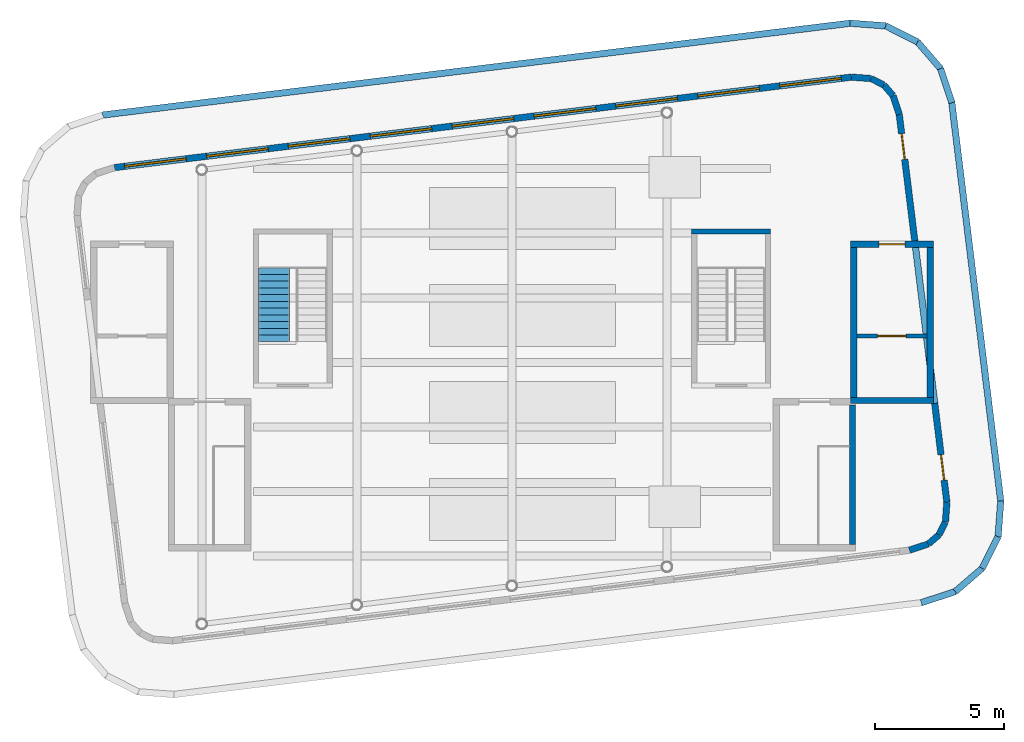
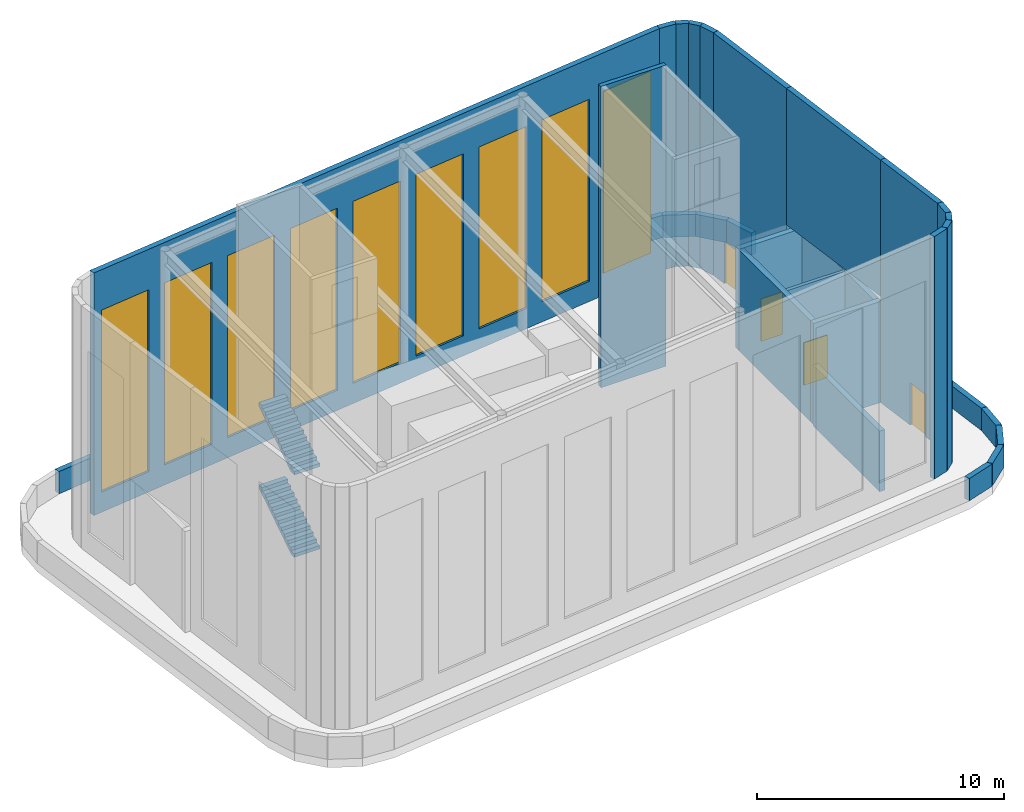
# One storey, part 4 of 7: 29 walls, 9 windows, 4 doors, 2 stair flights, 13 openings, 1 element without a shape of its own.
"""IFC4 building model written with IfcOpenShell, lengths in metres."""

from ifc_helpers import new_model, si_unit, direction, frame, frame_2d, origin, place, context, subcontext, project, spatial, polyline, rectangle, outline, extrude, material, layer, layer_set, type_object, element, fill, aggregate, save


model = new_model("IFC4")

# Units and contexts
model_context = context("Model", 3, precision=1e-05, world=origin(), true_north=direction((0.0, 1.0)))
body_context = subcontext(model_context, "Body", "Model", "MODEL_VIEW")
ifc_project = project(units=[si_unit("LENGTHUNIT", "METRE"), si_unit("AREAUNIT", "SQUARE_METRE"), si_unit("VOLUMEUNIT", "CUBIC_METRE"), si_unit("PLANEANGLEUNIT", "RADIAN"), si_unit("MASSUNIT", "GRAM", prefix="KILO")], contexts=[model_context])

# Site, building, storey
site_placement = place(None, origin())
site = spatial("IfcSite", under=ifc_project, at=site_placement, CompositionType="ELEMENT")
building_placement = place(site_placement, origin())
building = spatial("IfcBuilding", under=site, at=building_placement, Name="Torana Hotel and Residences", CompositionType="ELEMENT")
storey_placement = place(building_placement, frame((0.0, 0.0, 363.39990234375)))
storey = spatial("IfcBuildingStorey", under=building, at=storey_placement, Name="RF", CompositionType="ELEMENT", Elevation=363.39990234375)

# Wall
ifc_material_1 = material(Name="Concrete C50/60", Category="concrete")
ifc_layer_1 = layer(ifc_material_1, 0.25)
ifc_layer_set_1 = layer_set([ifc_layer_1], Name="CORE WALL 250 C50/60")
wall_type_1 = type_object("IfcWallType", Name="CORE WALL 250 C50/60", PredefinedType="SHEAR", material=ifc_layer_set_1)
wall_1_placement = place(storey_placement, frame((13.175048828125, -14.550048828125, 0.0), z_axis=(0.0, 0.0, 1.0), x_axis=(0.0, 1.0, 0.0)))
element("IfcWall", 1, at=wall_1_placement, inside=storey, type_object=wall_type_1, Name="Stair head-house wall ST3", PredefinedType="SHEAR", context=body_context, shape_type="SweptSolid", body=[
    extrude(rectangle(XDim=5.400146484375, YDim=0.25, at=frame_2d((2.7001953125, 0.0))), origin(), (0.0, 0.0, 1.0), 3.0),
])

# Wall, opening, door
wall_2_placement = place(storey_placement, frame((13.10009765625, -2.925048828125, 0.0), z_axis=(0.0, 0.0, 1.0), x_axis=(1.0, 0.0, 0.0)))
wall_2 = element("IfcWall", 2, at=wall_2_placement, inside=storey, type_object=wall_type_1, Name="Lift penthouse wall E", PredefinedType="SHEAR", context=body_context, shape_type="SweptSolid", body=[
    extrude(rectangle(XDim=3.199951171875, YDim=0.25, at=frame_2d((1.60009765625, 0.0))), origin(), (0.0, 0.0, 1.0), 5.0),
])
opening_1_placement = place(wall_2_placement, frame((1.10009765625, 0.0, 0.0)))
opening_1 = element("IfcOpeningElement", 3, at=opening_1_placement, cuts=wall_2, Name="Opening RF-03", PredefinedType="OPENING", context=body_context, shape_type="SweptSolid", body=[
    extrude(rectangle(XDim=1.0, YDim=2.10009765625, at=frame_2d((0.5, 1.050048828125))), frame((0.0, 0.135009765625, 0.0), z_axis=(0.0, -1.0, 0.0), x_axis=(1.0, 0.0, 0.0)), (0.0, 0.0, 1.0), 0.27001953125),
])
ifc_material_2 = material(Name="Steel S235", Category="steel")
door_type_1 = type_object("IfcDoorType", Name="ROOF LOBBY DOOR D9 1000x2100", OperationType="SINGLE_SWING_LEFT", PredefinedType="DOOR", material=ifc_material_2)
door_1_placement = place(opening_1_placement, origin())
door_1 = element("IfcDoor", 4, at=door_1_placement, inside=storey, type_object=door_type_1, Name="Roof lift lobby door", OperationType="SINGLE_SWING_LEFT", OverallHeight=2.10009765625, OverallWidth=1.0, PredefinedType="DOOR", context=body_context, shape_type="SweptSolid", body=[
    extrude(rectangle(XDim=1.0, YDim=2.10009765625, at=frame_2d((0.5, 1.050048828125))), frame((0.0, 0.02490234375, 0.0), z_axis=(0.0, -1.0, 0.0), x_axis=(1.0, 0.0, 0.0)), (0.0, 0.0, 1.0), 0.050048828125),
])
fill(opening_1, door_1)

# Walls
wall_3_placement = place(storey_placement, frame((13.10009765625, -8.97509765625, 0.0), z_axis=(0.0, 0.0, 1.0), x_axis=(1.0, 0.0, 0.0)))
element("IfcWall", 5, at=wall_3_placement, inside=storey, type_object=wall_type_1, Name="Lift penthouse wall E", PredefinedType="SHEAR", context=body_context, shape_type="SweptSolid", body=[
    extrude(rectangle(XDim=3.199951171875, YDim=0.25, at=frame_2d((1.60009765625, 0.0))), origin(), (0.0, 0.0, 1.0), 5.0),
])
for number, where, z_axis, x_axis, name in (
    (6, (13.22509765625, -8.85009765625, 0.0), (0.0, 0.0, 1.0), (0.0, 1.0, 0.0), "Lift penthouse wall E"),
    (7, (16.175048828125, -8.85009765625, 0.0), (0.0, 0.0, 1.0), (0.0, 1.0, 0.0), "Lift penthouse wall E"),
):
    element("IfcWall", number, at=place(storey_placement, frame(where, z_axis=z_axis, x_axis=x_axis)), inside=storey, type_object=wall_type_1, Name=name, PredefinedType="SHEAR", context=body_context, shape_type="SweptSolid", body=[
        extrude(rectangle(XDim=5.800048828125, YDim=0.25, at=frame_2d((2.89990234375, 0.0))), origin(), (0.0, 0.0, 1.0), 5.0),
    ])

# Wall, opening, door
ifc_material_3 = material(Name="Aluminium louvre wall", Category="aluminium")
ifc_layer_2 = layer(ifc_material_3, 0.25)
ifc_layer_set_2 = layer_set([ifc_layer_2], Name="EW3 LOUVRE WALL 250")
wall_type_2 = type_object("IfcWallType", Name="EW3 LOUVRE WALL 250", PredefinedType="SOLIDWALL", material=ifc_layer_set_2)
wall_4_placement = place(storey_placement, frame((14.984375, 2.0908203125, 0.0), z_axis=(0.0, 0.0, 1.0), x_axis=(0.121857042325, -0.992547661947, 0.0)))
wall_4 = element("IfcWall", 8, at=wall_4_placement, inside=storey, type_object=wall_type_2, Name="Plant enclosure louvre wall 1", PredefinedType="SOLIDWALL", context=body_context, shape_type="SweptSolid", body=[
    extrude(rectangle(XDim=4.926513671875, YDim=0.25, at=frame_2d((2.46337890625, 0.0))), origin(), (0.0, 0.0, 1.0), 12.0),
])
opening_2_placement = place(wall_4_placement, frame((0.75, 0.0, 0.0)))
opening_2 = element("IfcOpeningElement", 9, at=opening_2_placement, cuts=wall_4, Name="Opening RF-E01", PredefinedType="OPENING", context=body_context, shape_type="SweptSolid", body=[
    extrude(rectangle(XDim=1.0, YDim=2.10009765625, at=frame_2d((0.5, 1.050048828125))), frame((0.0, 0.135009765625, 0.0), z_axis=(0.0, -1.0, 0.0), x_axis=(1.0, 0.0, 0.0)), (0.0, 0.0, 1.0), 0.27001953125),
])
ifc_material_4 = material(Name="Steel S235", Category="steel")
door_type_2 = type_object("IfcDoorType", Name="DE4 ROOF DOOR 1000x2100", OperationType="SINGLE_SWING_RIGHT", PredefinedType="DOOR", material=ifc_material_4)
door_2_placement = place(opening_2_placement, origin())
door_2 = element("IfcDoor", 10, at=door_2_placement, inside=storey, type_object=door_type_2, Name="Roof door", OperationType="SINGLE_SWING_RIGHT", OverallHeight=2.10009765625, OverallWidth=1.0, PredefinedType="DOOR", context=body_context, shape_type="SweptSolid", body=[
    extrude(rectangle(XDim=1.0, YDim=2.10009765625, at=frame_2d((0.5, 1.050048828125))), frame((0.0, 0.02490234375, 0.0), z_axis=(0.0, -1.0, 0.0), x_axis=(1.0, 0.0, 0.0)), (0.0, 0.0, 1.0), 0.050048828125),
])
fill(opening_2, door_2)

wall_5_placement = place(storey_placement, frame((16.356689453125, -9.08740234375, 0.0), z_axis=(0.0, 0.0, 1.0), x_axis=(0.1219306912, -0.992538617155, 0.0)))
wall_5 = element("IfcWall", 11, at=wall_5_placement, inside=storey, type_object=wall_type_2, Name="Plant enclosure louvre wall 1", PredefinedType="SOLIDWALL", context=body_context, shape_type="SweptSolid", body=[
    extrude(rectangle(XDim=3.8564453125, YDim=0.25, at=frame_2d((1.92822265625, 0.0))), origin(), (0.0, 0.0, 1.0), 12.0),
])
opening_3_placement = place(wall_5_placement, frame((2.0, 0.0, 0.0)))
opening_3 = element("IfcOpeningElement", 12, at=opening_3_placement, cuts=wall_5, Name="Opening RF-E02", PredefinedType="OPENING", context=body_context, shape_type="SweptSolid", body=[
    extrude(rectangle(XDim=1.0, YDim=2.10009765625, at=frame_2d((0.5, 1.050048828125))), frame((0.0, 0.135009765625, 0.0), z_axis=(0.0, -1.0, 0.0), x_axis=(1.0, 0.0, 0.0)), (0.0, 0.0, 1.0), 0.27001953125),
])
door_3_placement = place(opening_3_placement, origin())
door_3 = element("IfcDoor", 13, at=door_3_placement, inside=storey, type_object=door_type_2, Name="Roof door", OperationType="SINGLE_SWING_RIGHT", OverallHeight=2.10009765625, OverallWidth=1.0, PredefinedType="DOOR", context=body_context, shape_type="SweptSolid", body=[
    extrude(rectangle(XDim=1.0, YDim=2.10009765625, at=frame_2d((0.5, 1.050048828125))), frame((0.0, 0.02490234375, 0.0), z_axis=(0.0, -1.0, 0.0), x_axis=(1.0, 0.0, 0.0)), (0.0, 0.0, 1.0), 0.050048828125),
])
fill(opening_3, door_3)

# Walls
wall_6_placement = place(storey_placement, frame((16.826904296875, -12.9150390625, 0.0), z_axis=(0.0, 0.0, 1.0), x_axis=(-0.074070751166, -0.997252988876, 0.0)))
element("IfcWall", 14, at=wall_6_placement, inside=storey, type_object=wall_type_2, Name="Plant enclosure louvre wall 2", PredefinedType="SOLIDWALL", context=body_context, shape_type="SweptSolid", body=[
    extrude(rectangle(XDim=0.76806640625, YDim=0.25, at=frame_2d((0.384033203125, 0.0))), origin(), (0.0, 0.0, 1.0), 12.0),
])
wall_7_placement = place(storey_placement, frame((16.77001953125, -13.680908203125, 0.0), z_axis=(0.0, 0.0, 1.0), x_axis=(-0.450424839649, -0.892814350146, 0.0)))
element("IfcWall", 15, at=wall_7_placement, inside=storey, type_object=wall_type_2, Name="Plant enclosure louvre wall 3", PredefinedType="SOLIDWALL", context=body_context, shape_type="SweptSolid", body=[
    extrude(rectangle(XDim=0.546875, YDim=0.25, at=frame_2d((0.2734375, 0.0))), origin(), (0.0, 0.0, 1.0), 12.0),
])
wall_8_placement = place(storey_placement, frame((16.523681640625, -14.169189453125, 0.0), z_axis=(0.0, 0.0, 1.0), x_axis=(-0.757394739228, -0.652957279605, 0.0)))
element("IfcWall", 16, at=wall_8_placement, inside=storey, type_object=wall_type_2, Name="Plant enclosure louvre wall 4", PredefinedType="SOLIDWALL", context=body_context, shape_type="SweptSolid", body=[
    extrude(rectangle(XDim=0.547119140625, YDim=0.25, at=frame_2d((0.2734375, 0.0))), origin(), (0.0, 0.0, 1.0), 12.0),
])
wall_9_placement = place(storey_placement, frame((16.109375, -14.5263671875, 0.0), z_axis=(0.0, 0.0, 1.0), x_axis=(-0.949726974671, -0.313079340713, 0.0)))
element("IfcWall", 17, at=wall_9_placement, inside=storey, type_object=wall_type_2, Name="Plant enclosure louvre wall 5", PredefinedType="SOLIDWALL", context=body_context, shape_type="SweptSolid", body=[
    extrude(rectangle(XDim=0.76806640625, YDim=0.25, at=frame_2d((0.384033203125, 0.0))), origin(), (0.0, 0.0, 1.0), 12.0),
])

# Wall, openings, windows
wall_10_placement = place(storey_placement, frame((-15.3798828125, 0.036865234375, 0.0), z_axis=(0.0, 0.0, 1.0), x_axis=(0.992546810088, 0.121863980664, 0.0)))
wall_10 = element("IfcWall", 18, at=wall_10_placement, inside=storey, type_object=wall_type_2, Name="Plant enclosure louvre wall 16", PredefinedType="SOLIDWALL", context=body_context, shape_type="SweptSolid", body=[
    extrude(rectangle(XDim=28.7265625, YDim=0.25, at=frame_2d((14.36328125, 0.0))), origin(), (0.0, 0.0, 1.0), 12.0),
])
opening_4_placement = place(wall_10_placement, frame((0.39599609375, 0.0, 1.0)))
opening_4 = element("IfcOpeningElement", 19, at=opening_4_placement, cuts=wall_10, Name="Opening LV3", PredefinedType="OPENING", context=body_context, shape_type="SweptSolid", body=[
    extrude(rectangle(XDim=2.39990234375, YDim=9.0, at=frame_2d((1.199951171875, 4.5))), frame((0.0, 0.135009765625, 0.0), z_axis=(0.0, -1.0, 0.0), x_axis=(1.0, 0.0, 0.0)), (0.0, 0.0, 1.0), 0.27001953125),
])
opening_5_placement = place(wall_10_placement, frame((3.587890625, 0.0, 1.0)))
opening_5 = element("IfcOpeningElement", 20, at=opening_5_placement, cuts=wall_10, Name="Opening LV3", PredefinedType="OPENING", context=body_context, shape_type="SweptSolid", body=[
    extrude(rectangle(XDim=2.39990234375, YDim=9.0, at=frame_2d((1.199951171875, 4.5))), frame((0.0, 0.135009765625, 0.0), z_axis=(0.0, -1.0, 0.0), x_axis=(1.0, 0.0, 0.0)), (0.0, 0.0, 1.0), 0.27001953125),
])
opening_6_placement = place(wall_10_placement, frame((6.779541015625, 0.0, 1.0)))
opening_6 = element("IfcOpeningElement", 21, at=opening_6_placement, cuts=wall_10, Name="Opening LV3", PredefinedType="OPENING", context=body_context, shape_type="SweptSolid", body=[
    extrude(rectangle(XDim=2.39990234375, YDim=9.0, at=frame_2d((1.199951171875, 4.5))), frame((0.0, 0.135009765625, 0.0), z_axis=(0.0, -1.0, 0.0), x_axis=(1.0, 0.0, 0.0)), (0.0, 0.0, 1.0), 0.27001953125),
])
opening_7_placement = place(wall_10_placement, frame((9.971435546875, 0.0, 1.0)))
opening_7 = element("IfcOpeningElement", 22, at=opening_7_placement, cuts=wall_10, Name="Opening LV3", PredefinedType="OPENING", context=body_context, shape_type="SweptSolid", body=[
    extrude(rectangle(XDim=2.39990234375, YDim=9.0, at=frame_2d((1.199951171875, 4.5))), frame((0.0, 0.135009765625, 0.0), z_axis=(0.0, -1.0, 0.0), x_axis=(1.0, 0.0, 0.0)), (0.0, 0.0, 1.0), 0.27001953125),
])
opening_8_placement = place(wall_10_placement, frame((13.163330078125, 0.0, 1.0)))
opening_8 = element("IfcOpeningElement", 23, at=opening_8_placement, cuts=wall_10, Name="Opening LV3", PredefinedType="OPENING", context=body_context, shape_type="SweptSolid", body=[
    extrude(rectangle(XDim=2.39990234375, YDim=9.0, at=frame_2d((1.199951171875, 4.5))), frame((0.0, 0.135009765625, 0.0), z_axis=(0.0, -1.0, 0.0), x_axis=(1.0, 0.0, 0.0)), (0.0, 0.0, 1.0), 0.27001953125),
])
opening_9_placement = place(wall_10_placement, frame((16.35498046875, 0.0, 1.0)))
opening_9 = element("IfcOpeningElement", 24, at=opening_9_placement, cuts=wall_10, Name="Opening LV3", PredefinedType="OPENING", context=body_context, shape_type="SweptSolid", body=[
    extrude(rectangle(XDim=2.39990234375, YDim=9.0, at=frame_2d((1.199951171875, 4.5))), frame((0.0, 0.135009765625, 0.0), z_axis=(0.0, -1.0, 0.0), x_axis=(1.0, 0.0, 0.0)), (0.0, 0.0, 1.0), 0.27001953125),
])
opening_10_placement = place(wall_10_placement, frame((19.547119140625, 0.0, 1.0)))
opening_10 = element("IfcOpeningElement", 25, at=opening_10_placement, cuts=wall_10, Name="Opening LV3", PredefinedType="OPENING", context=body_context, shape_type="SweptSolid", body=[
    extrude(rectangle(XDim=2.39990234375, YDim=9.0, at=frame_2d((1.199951171875, 4.5))), frame((0.0, 0.135009765625, 0.0), z_axis=(0.0, -1.0, 0.0), x_axis=(1.0, 0.0, 0.0)), (0.0, 0.0, 1.0), 0.27001953125),
])
opening_11_placement = place(wall_10_placement, frame((22.73876953125, 0.0, 1.0)))
opening_11 = element("IfcOpeningElement", 26, at=opening_11_placement, cuts=wall_10, Name="Opening LV3", PredefinedType="OPENING", context=body_context, shape_type="SweptSolid", body=[
    extrude(rectangle(XDim=2.39990234375, YDim=9.0, at=frame_2d((1.199951171875, 4.5))), frame((0.0, 0.135009765625, 0.0), z_axis=(0.0, -1.0, 0.0), x_axis=(1.0, 0.0, 0.0)), (0.0, 0.0, 1.0), 0.27001953125),
])
opening_12_placement = place(wall_10_placement, frame((25.9306640625, 0.0, 1.0)))
opening_12 = element("IfcOpeningElement", 27, at=opening_12_placement, cuts=wall_10, Name="Opening LV3", PredefinedType="OPENING", context=body_context, shape_type="SweptSolid", body=[
    extrude(rectangle(XDim=2.39990234375, YDim=9.0, at=frame_2d((1.199951171875, 4.5))), frame((0.0, 0.135009765625, 0.0), z_axis=(0.0, -1.0, 0.0), x_axis=(1.0, 0.0, 0.0)), (0.0, 0.0, 1.0), 0.27001953125),
])
ifc_material_5 = material(Name="Aluminium louvre blades", Category="aluminium")
window_type = type_object("IfcWindowType", Name="LV3 LOUVRE 2400x9000", PartitioningType="SINGLE_PANEL", PredefinedType="USERDEFINED", material=ifc_material_5)
window_1_placement = place(opening_4_placement, origin())
window_1 = element("IfcWindow", 28, at=window_1_placement, inside=storey, type_object=window_type, Name="Plant enclosure louvre", ObjectType="LOUVRE", OverallHeight=9.0, OverallWidth=2.39990234375, PartitioningType="SINGLE_PANEL", PredefinedType="USERDEFINED", context=body_context, shape_type="SweptSolid", body=[
    extrude(rectangle(XDim=2.39990234375, YDim=9.0, at=frame_2d((1.199951171875, 4.5))), frame((0.0, 0.030029296875, 0.0), z_axis=(0.0, -1.0, 0.0), x_axis=(1.0, 0.0, 0.0)), (0.0, 0.0, 1.0), 0.06005859375),
])
fill(opening_4, window_1)
window_2_placement = place(opening_5_placement, origin())
window_2 = element("IfcWindow", 29, at=window_2_placement, inside=storey, type_object=window_type, Name="Plant enclosure louvre", ObjectType="LOUVRE", OverallHeight=9.0, OverallWidth=2.39990234375, PartitioningType="SINGLE_PANEL", PredefinedType="USERDEFINED", context=body_context, shape_type="SweptSolid", body=[
    extrude(rectangle(XDim=2.39990234375, YDim=9.0, at=frame_2d((1.199951171875, 4.5))), frame((0.0, 0.030029296875, 0.0), z_axis=(0.0, -1.0, 0.0), x_axis=(1.0, 0.0, 0.0)), (0.0, 0.0, 1.0), 0.06005859375),
])
fill(opening_5, window_2)
window_3_placement = place(opening_6_placement, origin())
window_3 = element("IfcWindow", 30, at=window_3_placement, inside=storey, type_object=window_type, Name="Plant enclosure louvre", ObjectType="LOUVRE", OverallHeight=9.0, OverallWidth=2.39990234375, PartitioningType="SINGLE_PANEL", PredefinedType="USERDEFINED", context=body_context, shape_type="SweptSolid", body=[
    extrude(rectangle(XDim=2.39990234375, YDim=9.0, at=frame_2d((1.199951171875, 4.5))), frame((0.0, 0.030029296875, 0.0), z_axis=(0.0, -1.0, 0.0), x_axis=(1.0, 0.0, 0.0)), (0.0, 0.0, 1.0), 0.06005859375),
])
fill(opening_6, window_3)
window_4_placement = place(opening_7_placement, origin())
window_4 = element("IfcWindow", 31, at=window_4_placement, inside=storey, type_object=window_type, Name="Plant enclosure louvre", ObjectType="LOUVRE", OverallHeight=9.0, OverallWidth=2.39990234375, PartitioningType="SINGLE_PANEL", PredefinedType="USERDEFINED", context=body_context, shape_type="SweptSolid", body=[
    extrude(rectangle(XDim=2.39990234375, YDim=9.0, at=frame_2d((1.199951171875, 4.5))), frame((0.0, 0.030029296875, 0.0), z_axis=(0.0, -1.0, 0.0), x_axis=(1.0, 0.0, 0.0)), (0.0, 0.0, 1.0), 0.06005859375),
])
fill(opening_7, window_4)
window_5_placement = place(opening_8_placement, origin())
window_5 = element("IfcWindow", 32, at=window_5_placement, inside=storey, type_object=window_type, Name="Plant enclosure louvre", ObjectType="LOUVRE", OverallHeight=9.0, OverallWidth=2.39990234375, PartitioningType="SINGLE_PANEL", PredefinedType="USERDEFINED", context=body_context, shape_type="SweptSolid", body=[
    extrude(rectangle(XDim=2.39990234375, YDim=9.0, at=frame_2d((1.199951171875, 4.5))), frame((0.0, 0.030029296875, 0.0), z_axis=(0.0, -1.0, 0.0), x_axis=(1.0, 0.0, 0.0)), (0.0, 0.0, 1.0), 0.06005859375),
])
fill(opening_8, window_5)
window_6_placement = place(opening_9_placement, origin())
window_6 = element("IfcWindow", 33, at=window_6_placement, inside=storey, type_object=window_type, Name="Plant enclosure louvre", ObjectType="LOUVRE", OverallHeight=9.0, OverallWidth=2.39990234375, PartitioningType="SINGLE_PANEL", PredefinedType="USERDEFINED", context=body_context, shape_type="SweptSolid", body=[
    extrude(rectangle(XDim=2.39990234375, YDim=9.0, at=frame_2d((1.199951171875, 4.5))), frame((0.0, 0.030029296875, 0.0), z_axis=(0.0, -1.0, 0.0), x_axis=(1.0, 0.0, 0.0)), (0.0, 0.0, 1.0), 0.06005859375),
])
fill(opening_9, window_6)
window_7_placement = place(opening_10_placement, origin())
window_7 = element("IfcWindow", 34, at=window_7_placement, inside=storey, type_object=window_type, Name="Plant enclosure louvre", ObjectType="LOUVRE", OverallHeight=9.0, OverallWidth=2.39990234375, PartitioningType="SINGLE_PANEL", PredefinedType="USERDEFINED", context=body_context, shape_type="SweptSolid", body=[
    extrude(rectangle(XDim=2.39990234375, YDim=9.0, at=frame_2d((1.199951171875, 4.5))), frame((0.0, 0.030029296875, 0.0), z_axis=(0.0, -1.0, 0.0), x_axis=(1.0, 0.0, 0.0)), (0.0, 0.0, 1.0), 0.06005859375),
])
fill(opening_10, window_7)
window_8_placement = place(opening_11_placement, origin())
window_8 = element("IfcWindow", 35, at=window_8_placement, inside=storey, type_object=window_type, Name="Plant enclosure louvre", ObjectType="LOUVRE", OverallHeight=9.0, OverallWidth=2.39990234375, PartitioningType="SINGLE_PANEL", PredefinedType="USERDEFINED", context=body_context, shape_type="SweptSolid", body=[
    extrude(rectangle(XDim=2.39990234375, YDim=9.0, at=frame_2d((1.199951171875, 4.5))), frame((0.0, 0.030029296875, 0.0), z_axis=(0.0, -1.0, 0.0), x_axis=(1.0, 0.0, 0.0)), (0.0, 0.0, 1.0), 0.06005859375),
])
fill(opening_11, window_8)
window_9_placement = place(opening_12_placement, origin())
window_9 = element("IfcWindow", 36, at=window_9_placement, inside=storey, type_object=window_type, Name="Plant enclosure louvre", ObjectType="LOUVRE", OverallHeight=9.0, OverallWidth=2.39990234375, PartitioningType="SINGLE_PANEL", PredefinedType="USERDEFINED", context=body_context, shape_type="SweptSolid", body=[
    extrude(rectangle(XDim=2.39990234375, YDim=9.0, at=frame_2d((1.199951171875, 4.5))), frame((0.0, 0.030029296875, 0.0), z_axis=(0.0, -1.0, 0.0), x_axis=(1.0, 0.0, 0.0)), (0.0, 0.0, 1.0), 0.06005859375),
])
fill(opening_12, window_9)

# Walls
wall_11_placement = place(storey_placement, frame((13.132568359375, 3.53759765625, 0.0), z_axis=(0.0, 0.0, 1.0), x_axis=(0.997252988876, -0.074070751166, 0.0)))
element("IfcWall", 37, at=wall_11_placement, inside=storey, type_object=wall_type_2, Name="Plant enclosure louvre wall 17", PredefinedType="SOLIDWALL", context=body_context, shape_type="SweptSolid", body=[
    extrude(rectangle(XDim=0.76806640625, YDim=0.25, at=frame_2d((0.384033203125, 0.0))), origin(), (0.0, 0.0, 1.0), 12.0),
])
wall_12_placement = place(storey_placement, frame((13.8984375, 3.480712890625, 0.0), z_axis=(0.0, 0.0, 1.0), x_axis=(0.892993836049, -0.450068893369, 0.0)))
element("IfcWall", 38, at=wall_12_placement, inside=storey, type_object=wall_type_2, Name="Plant enclosure louvre wall 18", PredefinedType="SOLIDWALL", context=body_context, shape_type="SweptSolid", body=[
    extrude(rectangle(XDim=0.546875, YDim=0.25, at=frame_2d((0.2734375, 0.0))), origin(), (0.0, 0.0, 1.0), 12.0),
])
wall_13_placement = place(storey_placement, frame((14.38671875, 3.234619140625, 0.0), z_axis=(0.0, 0.0, 1.0), x_axis=(0.652957279605, -0.757394739228, 0.0)))
element("IfcWall", 39, at=wall_13_placement, inside=storey, type_object=wall_type_2, Name="Plant enclosure louvre wall 19", PredefinedType="SOLIDWALL", context=body_context, shape_type="SweptSolid", body=[
    extrude(rectangle(XDim=0.547119140625, YDim=0.25, at=frame_2d((0.2734375, 0.0))), origin(), (0.0, 0.0, 1.0), 12.0),
])
wall_14_placement = place(storey_placement, frame((14.743896484375, 2.8203125, 0.0), z_axis=(0.0, 0.0, 1.0), x_axis=(0.313079340713, -0.949726974671, 0.0)))
element("IfcWall", 40, at=wall_14_placement, inside=storey, type_object=wall_type_2, Name="Plant enclosure louvre wall 20", PredefinedType="SOLIDWALL", context=body_context, shape_type="SweptSolid", body=[
    extrude(rectangle(XDim=0.76806640625, YDim=0.25, at=frame_2d((0.384033203125, 0.0))), origin(), (0.0, 0.0, 1.0), 12.0),
])
wall_15_placement = place(storey_placement, frame((15.584716796875, -2.799072265625, 5.25), z_axis=(0.0, 0.0, 1.0), x_axis=(0.121848010756, -0.992548770729, 0.0)))
element("IfcWall", 41, at=wall_15_placement, inside=storey, type_object=wall_type_2, Name="Plant enclosure louvre wall 1", PredefinedType="SOLIDWALL", context=body_context, shape_type="SweptSolid", body=[
    extrude(rectangle(XDim=6.33544921875, YDim=0.25, at=frame_2d((3.167724609375, 0.0))), origin(), (0.0, 0.0, 1.0), 6.75),
])

# Wall, opening, door
ifc_material_6 = material(Name="Concrete C40/50", Category="concrete")
ifc_layer_3 = layer(ifc_material_6, 0.14990234375)
ifc_layer_set_3 = layer_set([ifc_layer_3], Name="LIFT SHAFT WALL 150")
wall_type_3 = type_object("IfcWallType", Name="LIFT SHAFT WALL 150", PredefinedType="PARTITIONING", material=ifc_layer_set_3)
wall_16_placement = place(storey_placement, frame((13.35009765625, -6.47509765625, 0.0), z_axis=(0.0, 0.0, 1.0), x_axis=(1.0, 0.0, 0.0)))
wall_16 = element("IfcWall", 42, at=wall_16_placement, inside=storey, type_object=wall_type_3, Name="Lift shaft wall FF2 RF", PredefinedType="PARTITIONING", context=body_context, shape_type="SweptSolid", body=[
    extrude(rectangle(XDim=2.699951171875, YDim=0.14990234375, at=frame_2d((1.35009765625, 0.0))), origin(), (0.0, 0.0, 1.0), 5.0),
])
opening_13_placement = place(wall_16_placement, frame((0.800048828125, 0.0, 0.0)))
opening_13 = element("IfcOpeningElement", 43, at=opening_13_placement, cuts=wall_16, Name="Opening LD", PredefinedType="OPENING", context=body_context, shape_type="SweptSolid", body=[
    extrude(rectangle(XDim=1.10009765625, YDim=2.10009765625, at=frame_2d((0.550048828125, 1.050048828125))), frame((0.0, 0.0849609375, 0.0), z_axis=(0.0, -1.0, 0.0), x_axis=(1.0, 0.0, 0.0)), (0.0, 0.0, 1.0), 0.169921875),
])
ifc_material_7 = material(Name="Stainless steel 316", Category="steel")
door_type_3 = type_object("IfcDoorType", Name="LIFT LANDING DOOR LD 1100x2100", OperationType="DOUBLE_DOOR_SLIDING", PredefinedType="USERDEFINED", material=ifc_material_7)
door_4_placement = place(opening_13_placement, origin())
door_4 = element("IfcDoor", 44, at=door_4_placement, inside=storey, type_object=door_type_3, Name="Lift landing door FF2 RF", ObjectType="LIFT LANDING DOOR", OperationType="DOUBLE_DOOR_SLIDING", OverallHeight=2.10009765625, OverallWidth=1.10009765625, PredefinedType="USERDEFINED", context=body_context, shape_type="SweptSolid", body=[
    extrude(rectangle(XDim=1.10009765625, YDim=2.10009765625, at=frame_2d((0.550048828125, 1.050048828125))), frame((0.0, 0.02490234375, 0.0), z_axis=(0.0, -1.0, 0.0), x_axis=(1.0, 0.0, 0.0)), (0.0, 0.0, 1.0), 0.050048828125),
])
fill(opening_13, door_4)

# Walls
ifc_material_8 = material(Name="Aluminium coping with drip", Category="aluminium")
ifc_layer_4 = layer(ifc_material_8, 0.0029296875, Name="Coping flashing", Category="flashing")
ifc_material_9 = material(Name="Concrete C40/50 precast", Category="concrete")
ifc_layer_5 = layer(ifc_material_9, 0.00390625, Name="Cladding", Category="cladding")
ifc_material_10 = material(Name="Concrete C40/50", Category="concrete")
ifc_layer_6 = layer(ifc_material_10, 0.199951171875, Name="Wall", Category="structure")
ifc_material_11 = material(Name="Mineral wool insulation")
ifc_layer_7 = layer(ifc_material_11, 0.0400390625, Name="Insulation", Category="insulation")
ifc_material_12 = material(Name="Waterproofing upstand")
ifc_layer_8 = layer(ifc_material_12, 0.0029296875, Name="Upstand membrane", Category="membrane")
ifc_layer_set_4 = layer_set([ifc_layer_4, ifc_layer_5, ifc_layer_6, ifc_layer_7, ifc_layer_8], Name="PP1 PARAPET 250")
wall_type_4 = type_object("IfcWallType", Name="PP1 PARAPET 250", PredefinedType="PARAPET", material=ifc_layer_set_4)
wall_17_placement = place(storey_placement, frame((17.018798828125, 2.546630859375, 0.0), z_axis=(0.0, 0.0, 1.0), x_axis=(0.12187092039, -0.992545958011, 0.0)))
element("IfcWall", 45, at=wall_17_placement, inside=storey, type_object=wall_type_4, Name="Roof parapet RF 1", PredefinedType="PARAPET", context=body_context, shape_type="SweptSolid", body=[
    extrude(rectangle(XDim=15.52734375, YDim=0.25, at=frame_2d((7.763671875, 0.0))), origin(), (0.0, 0.0, 1.0), 1.10009765625),
])
wall_18_placement = place(storey_placement, frame((18.9111328125, -12.864990234375, 0.0), z_axis=(0.0, 0.0, 1.0), x_axis=(-0.074040515881, -0.997255234134, 0.0)))
element("IfcWall", 46, at=wall_18_placement, inside=storey, type_object=wall_type_4, Name="Roof parapet RF 2", PredefinedType="PARAPET", context=body_context, shape_type="SweptSolid", body=[
    extrude(rectangle(XDim=1.385009765625, YDim=0.25, at=frame_2d((0.6923828125, 0.0))), origin(), (0.0, 0.0, 1.0), 1.10009765625),
])
for number, where, z_axis, x_axis, name in (
    (47, (18.80859375, -14.24609375, 0.0), (0.0, 0.0, 1.0), (-0.450057544938, -0.892999555568, 0.0), "Roof parapet RF 3"),
    (48, (18.19091796875, -15.4716796875, 0.0), (0.0, 0.0, 1.0), (-0.757546441129, -0.652781272351, 0.0), "Roof parapet RF 4"),
):
    element("IfcWall", number, at=place(storey_placement, frame(where, z_axis=z_axis, x_axis=x_axis)), inside=storey, type_object=wall_type_4, Name=name, PredefinedType="PARAPET", context=body_context, shape_type="SweptSolid", body=[
        extrude(rectangle(XDim=1.37255859375, YDim=0.25, at=frame_2d((0.686279296875, 0.0))), origin(), (0.0, 0.0, 1.0), 1.10009765625),
    ])
wall_19_placement = place(storey_placement, frame((17.151123046875, -16.36767578125, 0.0), z_axis=(0.0, 0.0, 1.0), x_axis=(-0.949683186134, -0.313212142123, 0.0)))
element("IfcWall", 49, at=wall_19_placement, inside=storey, type_object=wall_type_4, Name="Roof parapet RF 5", PredefinedType="PARAPET", context=body_context, shape_type="SweptSolid", body=[
    extrude(rectangle(XDim=1.385009765625, YDim=0.25, at=frame_2d((0.6923828125, 0.0))), origin(), (0.0, 0.0, 1.0), 1.10009765625),
])
wall_20_placement = place(storey_placement, frame((-15.835693359375, 2.071533203125, 0.0), z_axis=(0.0, 0.0, 1.0), x_axis=(0.99254686971, 0.121863495059, 0.0)))
element("IfcWall", 50, at=wall_20_placement, inside=storey, type_object=wall_type_4, Name="Roof parapet RF 16", PredefinedType="PARAPET", context=body_context, shape_type="SweptSolid", body=[
    extrude(rectangle(XDim=29.13525390625, YDim=0.25, at=frame_2d((14.567626953125, 0.0))), origin(), (0.0, 0.0, 1.0), 1.10009765625),
])
wall_21_placement = place(storey_placement, frame((13.08251953125, 5.6220703125, 0.0), z_axis=(0.0, 0.0, 1.0), x_axis=(0.997255234134, -0.074040515881, 0.0)))
element("IfcWall", 51, at=wall_21_placement, inside=storey, type_object=wall_type_4, Name="Roof parapet RF 17", PredefinedType="PARAPET", context=body_context, shape_type="SweptSolid", body=[
    extrude(rectangle(XDim=1.385009765625, YDim=0.25, at=frame_2d((0.6923828125, 0.0))), origin(), (0.0, 0.0, 1.0), 1.10009765625),
])
for number, where, z_axis, x_axis, name in (
    (52, (14.463623046875, 5.51953125, 0.0), (0.0, 0.0, 1.0), (0.892999555568, -0.450057544938, 0.0), "Roof parapet RF 18"),
    (53, (15.689208984375, 4.90185546875, 0.0), (0.0, 0.0, 1.0), (0.652781272351, -0.757546441129, 0.0), "Roof parapet RF 19"),
):
    element("IfcWall", number, at=place(storey_placement, frame(where, z_axis=z_axis, x_axis=x_axis)), inside=storey, type_object=wall_type_4, Name=name, PredefinedType="PARAPET", context=body_context, shape_type="SweptSolid", body=[
        extrude(rectangle(XDim=1.37255859375, YDim=0.25, at=frame_2d((0.686279296875, 0.0))), origin(), (0.0, 0.0, 1.0), 1.10009765625),
    ])
wall_22_placement = place(storey_placement, frame((16.585205078125, 3.862060546875, 0.0), z_axis=(0.0, 0.0, 1.0), x_axis=(0.313053161345, -0.949735604351, 0.0)))
element("IfcWall", 54, at=wall_22_placement, inside=storey, type_object=wall_type_4, Name="Roof parapet RF 20", PredefinedType="PARAPET", context=body_context, shape_type="SweptSolid", body=[
    extrude(rectangle(XDim=1.385009765625, YDim=0.25, at=frame_2d((0.6923828125, 0.0))), origin(), (0.0, 0.0, 1.0), 1.10009765625),
])
ifc_material_13 = material(Name="Concrete C40/50", Category="concrete")
ifc_layer_9 = layer(ifc_material_13, 0.199951171875)
ifc_layer_set_5 = layer_set([ifc_layer_9], Name="STAIR ENCLOSURE WALL 200 C40/50")
wall_type_5 = type_object("IfcWallType", Name="STAIR ENCLOSURE WALL 200 C40/50", PredefinedType="SHEAR", material=ifc_layer_set_5)
wall_23_placement = place(storey_placement, frame((6.949951171875, -2.43994140625, 0.0), z_axis=(0.0, 0.0, 1.0), x_axis=(1.0, 0.0, 0.0)))
element("IfcWall", 55, at=wall_23_placement, inside=storey, type_object=wall_type_5, Name="Stair cell wall ST7 N", PredefinedType="SHEAR", context=body_context, shape_type="SweptSolid", body=[
    extrude(rectangle(XDim=3.050048828125, YDim=0.199951171875, at=frame_2d((1.52490234375, 0.0))), origin(), (0.0, 0.0, 1.0), 14.900146484375),
])

# Stair, stair flights
ifc_material_14 = material(Name="Concrete C40/50 precast", Category="concrete")
stair_type = type_object("IfcStairType", Name="STAIR ST6 HALF TURN 1200", PredefinedType="HALF_TURN_STAIR", material=ifc_material_14)
stair_placement = place(storey_placement, origin())
stair = element("IfcStair", 56, at=stair_placement, inside=storey, type_object=stair_type, Name="Stair ST6 to the plant roof", PredefinedType="HALF_TURN_STAIR")
ifc_material_15 = material(Name="Concrete C40/50 precast", Category="concrete")
stair_flight_type = type_object("IfcStairFlightType", Name="STAIR FLIGHT 1200 PRECAST", PredefinedType="STRAIGHT", material=ifc_material_15)
stair_flight_1_placement = place(storey_placement, frame((-9.199951171875, -6.699951171875, 0.0), z_axis=(0.0, 0.0, 1.0), x_axis=(0.0, 1.0, 0.0)))
stair_flight_1 = element("IfcStairFlight", 57, at=stair_flight_1_placement, type_object=stair_flight_type, Name="ST6 flight 1", NumberOfRisers=12, NumberOfTreads=11, PredefinedType="STRAIGHT", RiserHeight=0.169444444, TreadLength=0.26, context=body_context, shape_type="SweptSolid", body=[
    extrude(outline(polyline([(0.0, 0.0), (0.0, 0.16943359375), (0.260009765625, 0.16943359375), (0.260009765625, 0.3388671875), (0.52001953125, 0.3388671875), (0.52001953125, 0.50830078125), (0.780029296875, 0.50830078125), (0.780029296875, 0.677734375), (1.0400390625, 0.677734375), (1.0400390625, 0.84716796875), (1.300048828125, 0.84716796875), (1.300048828125, 1.0166015625), (1.56005859375, 1.0166015625), (1.56005859375, 1.18603515625), (1.820068359375, 1.18603515625), (1.820068359375, 1.35546875), (2.080078125, 1.35546875), (2.080078125, 1.52490234375), (2.340087890625, 1.52490234375), (2.340087890625, 1.6943359375), (2.60009765625, 1.6943359375), (2.60009765625, 1.86376953125), (2.860107421875, 1.86376953125), (2.860107421875, 2.033447265625), (2.860107421875, 1.68505859375), (0.274658203125, 0.0), (0.0, 0.0)])), frame((0.0, 0.60009765625, 0.0), z_axis=(0.0, -1.0, 0.0), x_axis=(1.0, 0.0, 0.0)), (0.0, 0.0, 1.0), 1.199951171875),
])
stair_flight_2_placement = place(storey_placement, frame((-9.199951171875, -6.699951171875, 4.06689453125), z_axis=(0.0, 0.0, 1.0), x_axis=(0.0, 1.0, 0.0)))
stair_flight_2 = element("IfcStairFlight", 58, at=stair_flight_2_placement, type_object=stair_flight_type, Name="ST6 flight 3", NumberOfRisers=12, NumberOfTreads=11, PredefinedType="STRAIGHT", RiserHeight=0.169444444, TreadLength=0.26, context=body_context, shape_type="SweptSolid", body=[
    extrude(outline(polyline([(0.0, 0.0), (0.0, 0.16943359375), (0.260009765625, 0.16943359375), (0.260009765625, 0.3388671875), (0.52001953125, 0.3388671875), (0.52001953125, 0.50830078125), (0.780029296875, 0.50830078125), (0.780029296875, 0.677734375), (1.0400390625, 0.677734375), (1.0400390625, 0.84716796875), (1.300048828125, 0.84716796875), (1.300048828125, 1.0166015625), (1.56005859375, 1.0166015625), (1.56005859375, 1.18603515625), (1.820068359375, 1.18603515625), (1.820068359375, 1.35546875), (2.080078125, 1.35546875), (2.080078125, 1.52490234375), (2.340087890625, 1.52490234375), (2.340087890625, 1.6943359375), (2.60009765625, 1.6943359375), (2.60009765625, 1.86376953125), (2.860107421875, 1.86376953125), (2.860107421875, 2.033447265625), (2.860107421875, 1.68505859375), (0.274658203125, 0.0), (0.0, 0.0)])), frame((0.0, 0.60009765625, 0.0), z_axis=(0.0, -1.0, 0.0), x_axis=(1.0, 0.0, 0.0)), (0.0, 0.0, 1.0), 1.199951171875),
])
aggregate(stair, [stair_flight_1, stair_flight_2])

save(model, "model.ifc")
